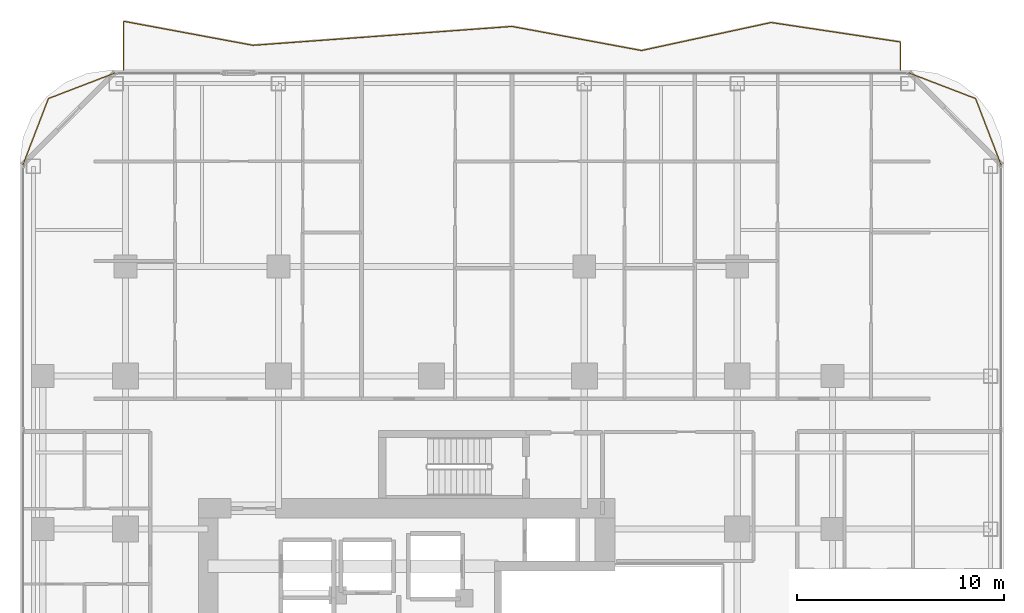
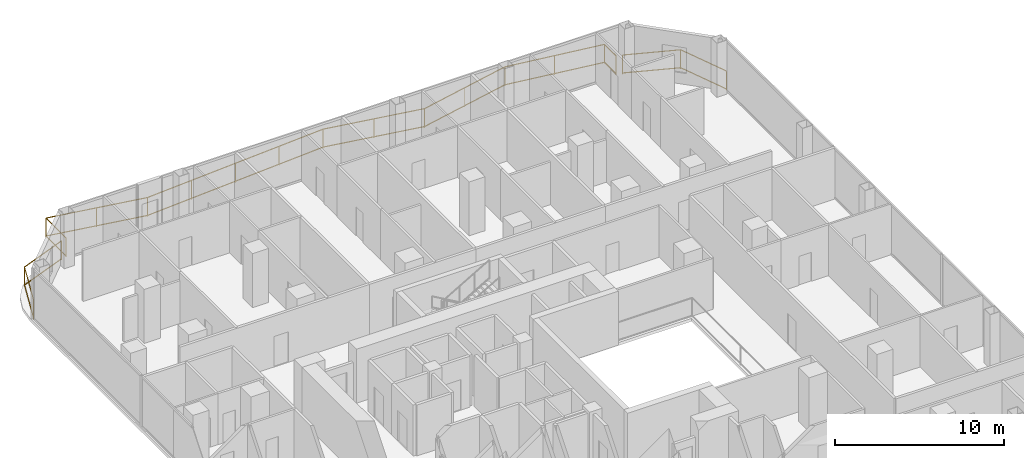
# One storey, part 26 of 26: 3 railings.
"""IFC4 building model written with IfcOpenShell, lengths in metres."""

from ifc_helpers import new_model, si_unit, direction, frame, origin, origin_2d, place, context, subcontext, project, spatial, rectangle, extrude, material, type_object, element, save


model = new_model("IFC4")

# Units and contexts
model_context = context("Model", 3, precision=1e-05, world=origin(), true_north=direction((0.0, 1.0)))
body_context = subcontext(model_context, "Body", "Model", "MODEL_VIEW")
ifc_project = project(units=[si_unit("LENGTHUNIT", "METRE"), si_unit("AREAUNIT", "SQUARE_METRE"), si_unit("VOLUMEUNIT", "CUBIC_METRE"), si_unit("PLANEANGLEUNIT", "RADIAN"), si_unit("MASSUNIT", "GRAM", prefix="KILO")], contexts=[model_context])

# Site, building, storey
site_placement = place(None, origin())
site = spatial("IfcSite", under=ifc_project, at=site_placement, CompositionType="ELEMENT")
building_placement = place(site_placement, origin())
building = spatial("IfcBuilding", under=site, at=building_placement, Name="Khorvyn Point Tower", CompositionType="ELEMENT")
storey_placement = place(building_placement, frame((0.0, 0.0, 113.39990234375)))
storey = spatial("IfcBuildingStorey", under=building, at=storey_placement, Name="L28", CompositionType="ELEMENT", Elevation=113.39990234375)

# Railings
ifc_material = material(Name="Anodised aluminium 6063-T6 and laminated safety glass", Category="aluminium")
railing_type = type_object("IfcRailingType", Name="Laminated Glass and Aluminium Balcony Guardrail 1400", PredefinedType="BALUSTRADE", material=ifc_material)
railing_1_placement = place(storey_placement, frame((-15.27587890625, 29.47412109375, 0.0)))
element("IfcRailing", 1, at=railing_1_placement, inside=storey, type_object=railing_type, Name="L28 Rounded Corner Edge Guardrail NW", PredefinedType="BALUSTRADE", context=body_context, shape_type="SweptSolid", body=[
    extrude(rectangle(XDim=0.048095703125, YDim=0.048095703125, at=origin_2d()), frame((0.0, 0.0, 1.3759765625), z_axis=(-0.933574931257, -0.358382264808, 0.0), x_axis=(0.358382264808, -0.933574931257, 0.0)), (0.0, 0.0, 1.0), 3.481689453125),
    extrude(rectangle(XDim=0.048095703125, YDim=0.048095703125, at=origin_2d()), frame((0.0, 0.0, 0.080078125), z_axis=(-0.933574931257, -0.358382264808, 0.0), x_axis=(0.358382264808, -0.933574931257, 0.0)), (0.0, 0.0, 1.0), 3.481689453125),
    extrude(rectangle(XDim=0.048095703125, YDim=0.048095703125, at=origin_2d()), frame((-3.25048828125, -1.247802734375, 1.3759765625), z_axis=(-0.35840572668, -0.933565924337, 0.0), x_axis=(0.933565924337, -0.35840572668, 0.0)), (0.0, 0.0, 1.0), 3.4814453125),
    extrude(rectangle(XDim=0.048095703125, YDim=0.048095703125, at=origin_2d()), frame((-3.25048828125, -1.247802734375, 0.080078125), z_axis=(-0.35840572668, -0.933565924337, 0.0), x_axis=(0.933565924337, -0.35840572668, 0.0)), (0.0, 0.0, 1.0), 3.4814453125),
    extrude(rectangle(XDim=0.0419921875, YDim=0.0419921875, at=origin_2d()), origin(), (0.0, 0.0, 1.0), 1.351806640625),
    extrude(rectangle(XDim=0.0419921875, YDim=0.0419921875, at=origin_2d()), frame((-3.25048828125, -1.247802734375, 0.0)), (0.0, 0.0, 1.0), 1.351806640625),
    extrude(rectangle(XDim=0.0419921875, YDim=0.0419921875, at=origin_2d()), frame((-4.498291015625, -4.498046875, 0.0)), (0.0, 0.0, 1.0), 1.351806640625),
])
railing_2_placement = place(storey_placement, frame((27.57421875, 24.97607421875, 0.0)))
element("IfcRailing", 2, at=railing_2_placement, inside=storey, type_object=railing_type, Name="L28 Rounded Corner Edge Guardrail NE", PredefinedType="BALUSTRADE", context=body_context, shape_type="SweptSolid", body=[
    extrude(rectangle(XDim=0.048095703125, YDim=0.048095703125, at=origin_2d()), frame((0.0, 0.0, 1.3759765625), z_axis=(-0.35840572668, 0.933565924337, 0.0), x_axis=(-0.933565924337, -0.35840572668, 0.0)), (0.0, 0.0, 1.0), 3.4814453125),
    extrude(rectangle(XDim=0.048095703125, YDim=0.048095703125, at=origin_2d()), frame((0.0, 0.0, 0.080078125), z_axis=(-0.35840572668, 0.933565924337, 0.0), x_axis=(-0.933565924337, -0.35840572668, 0.0)), (0.0, 0.0, 1.0), 3.4814453125),
    extrude(rectangle(XDim=0.048095703125, YDim=0.048095703125, at=origin_2d()), frame((-1.247802734375, 3.250244140625, 1.3759765625), z_axis=(-0.933574931257, 0.358382264808, 0.0), x_axis=(-0.358382264808, -0.933574931257, 0.0)), (0.0, 0.0, 1.0), 3.481689453125),
    extrude(rectangle(XDim=0.048095703125, YDim=0.048095703125, at=origin_2d()), frame((-1.247802734375, 3.250244140625, 0.080078125), z_axis=(-0.933574931257, 0.358382264808, 0.0), x_axis=(-0.358382264808, -0.933574931257, 0.0)), (0.0, 0.0, 1.0), 3.481689453125),
    extrude(rectangle(XDim=0.0419921875, YDim=0.0419921875, at=origin_2d()), origin(), (0.0, 0.0, 1.0), 1.351806640625),
    extrude(rectangle(XDim=0.0419921875, YDim=0.0419921875, at=origin_2d()), frame((-1.247802734375, 3.250244140625, 0.0)), (0.0, 0.0, 1.0), 1.351806640625),
    extrude(rectangle(XDim=0.0419921875, YDim=0.0419921875, at=origin_2d()), frame((-4.498291015625, 4.498046875, 0.0)), (0.0, 0.0, 1.0), 1.351806640625),
])
railing_3_placement = place(storey_placement, frame((22.699951171875, 29.60009765625, 0.0)))
element("IfcRailing", 3, at=railing_3_placement, inside=storey, type_object=railing_type, Name="L28 North Balcony Guardrail", PredefinedType="BALUSTRADE", context=body_context, shape_type="SweptSolid", body=[
    extrude(rectangle(XDim=0.048095703125, YDim=0.048095703125, at=origin_2d()), frame((0.0, 0.0, 1.3759765625), z_axis=(0.0, 1.0, 0.0), x_axis=(-1.0, 0.0, 0.0)), (0.0, 0.0, 1.0), 1.362548828125),
    extrude(rectangle(XDim=0.048095703125, YDim=0.048095703125, at=origin_2d()), frame((0.0, 0.0, 0.080078125), z_axis=(0.0, 1.0, 0.0), x_axis=(-1.0, 0.0, 0.0)), (0.0, 0.0, 1.0), 1.362548828125),
    extrude(rectangle(XDim=0.048095703125, YDim=0.048095703125, at=origin_2d()), frame((0.0, 1.362548828125, 1.3759765625), z_axis=(-0.988914865266, 0.148483632957, 0.0), x_axis=(-0.148483632957, -0.988914865266, 0.0)), (0.0, 0.0, 1.0), 6.3369140625),
    extrude(rectangle(XDim=0.048095703125, YDim=0.048095703125, at=origin_2d()), frame((0.0, 1.362548828125, 0.080078125), z_axis=(-0.988914865266, 0.148483632957, 0.0), x_axis=(-0.148483632957, -0.988914865266, 0.0)), (0.0, 0.0, 1.0), 6.3369140625),
    extrude(rectangle(XDim=0.048095703125, YDim=0.048095703125, at=origin_2d()), frame((-6.2666015625, 2.303466796875, 1.3759765625), z_axis=(-0.977405023503, -0.21137506956, 0.0), x_axis=(0.21137506956, -0.977405023503, 0.0)), (0.0, 0.0, 1.0), 6.411376953125),
    extrude(rectangle(XDim=0.048095703125, YDim=0.048095703125, at=origin_2d()), frame((-6.2666015625, 2.303466796875, 0.080078125), z_axis=(-0.977405023503, -0.21137506956, 0.0), x_axis=(0.21137506956, -0.977405023503, 0.0)), (0.0, 0.0, 1.0), 6.411376953125),
    extrude(rectangle(XDim=0.048095703125, YDim=0.048095703125, at=origin_2d()), frame((-12.533203125, 0.9482421875, 1.3759765625), z_axis=(-0.983141259558, 0.182847651764, 0.0), x_axis=(-0.182847651764, -0.983141259558, 0.0)), (0.0, 0.0, 1.0), 6.374267578125),
    extrude(rectangle(XDim=0.048095703125, YDim=0.048095703125, at=origin_2d()), frame((-12.533203125, 0.9482421875, 0.080078125), z_axis=(-0.983141259558, 0.182847651764, 0.0), x_axis=(-0.182847651764, -0.983141259558, 0.0)), (0.0, 0.0, 1.0), 6.374267578125),
    extrude(rectangle(XDim=0.048095703125, YDim=0.048095703125, at=origin_2d()), frame((-18.800048828125, 2.11376953125, 1.3759765625), z_axis=(-0.997359526721, -0.072622134776, 0.0), x_axis=(0.072622134776, -0.997359526721, 0.0)), (0.0, 0.0, 1.0), 6.283203125),
    extrude(rectangle(XDim=0.048095703125, YDim=0.048095703125, at=origin_2d()), frame((-18.800048828125, 2.11376953125, 0.080078125), z_axis=(-0.997359526721, -0.072622134776, 0.0), x_axis=(0.072622134776, -0.997359526721, 0.0)), (0.0, 0.0, 1.0), 6.283203125),
    extrude(rectangle(XDim=0.048095703125, YDim=0.048095703125, at=origin_2d()), frame((-25.066650390625, 1.657470703125, 1.3759765625), z_axis=(-0.997359526721, -0.072622134776, 0.0), x_axis=(0.072622134776, -0.997359526721, 0.0)), (0.0, 0.0, 1.0), 6.283203125),
    extrude(rectangle(XDim=0.048095703125, YDim=0.048095703125, at=origin_2d()), frame((-25.066650390625, 1.657470703125, 0.080078125), z_axis=(-0.997359526721, -0.072622134776, 0.0), x_axis=(0.072622134776, -0.997359526721, 0.0)), (0.0, 0.0, 1.0), 6.283203125),
    extrude(rectangle(XDim=0.048095703125, YDim=0.048095703125, at=origin_2d()), frame((-31.333251953125, 1.201171875, 1.3759765625), z_axis=(-0.983139978967, 0.182854537151, 0.0), x_axis=(-0.182854537151, -0.983139978967, 0.0)), (0.0, 0.0, 1.0), 6.3740234375),
    extrude(rectangle(XDim=0.048095703125, YDim=0.048095703125, at=origin_2d()), frame((-31.333251953125, 1.201171875, 0.080078125), z_axis=(-0.983139978967, 0.182854537151, 0.0), x_axis=(-0.182854537151, -0.983139978967, 0.0)), (0.0, 0.0, 1.0), 6.3740234375),
    extrude(rectangle(XDim=0.048095703125, YDim=0.048095703125, at=origin_2d()), frame((-37.599853515625, 2.36669921875, 1.3759765625), z_axis=(0.0, -1.0, 0.0), x_axis=(1.0, 0.0, 0.0)), (0.0, 0.0, 1.0), 2.36669921875),
    extrude(rectangle(XDim=0.048095703125, YDim=0.048095703125, at=origin_2d()), frame((-37.599853515625, 2.36669921875, 0.080078125), z_axis=(0.0, -1.0, 0.0), x_axis=(1.0, 0.0, 0.0)), (0.0, 0.0, 1.0), 2.36669921875),
    extrude(rectangle(XDim=0.0419921875, YDim=0.0419921875, at=origin_2d()), origin(), (0.0, 0.0, 1.0), 1.351806640625),
    extrude(rectangle(XDim=0.0419921875, YDim=0.0419921875, at=origin_2d()), frame((0.0, 1.362548828125, 0.0)), (0.0, 0.0, 1.0), 1.351806640625),
    extrude(rectangle(XDim=0.0419921875, YDim=0.0419921875, at=origin_2d()), frame((-3.13330078125, 1.8330078125, 0.0)), (0.0, 0.0, 1.0), 1.351806640625),
    extrude(rectangle(XDim=0.0419921875, YDim=0.0419921875, at=origin_2d()), frame((-6.2666015625, 2.303466796875, 0.0)), (0.0, 0.0, 1.0), 1.351806640625),
    extrude(rectangle(XDim=0.0419921875, YDim=0.0419921875, at=origin_2d()), frame((-9.39990234375, 1.6259765625, 0.0)), (0.0, 0.0, 1.0), 1.351806640625),
    extrude(rectangle(XDim=0.0419921875, YDim=0.0419921875, at=origin_2d()), frame((-12.533203125, 0.9482421875, 0.0)), (0.0, 0.0, 1.0), 1.351806640625),
    extrude(rectangle(XDim=0.0419921875, YDim=0.0419921875, at=origin_2d()), frame((-15.66650390625, 1.531005859375, 0.0)), (0.0, 0.0, 1.0), 1.351806640625),
    extrude(rectangle(XDim=0.0419921875, YDim=0.0419921875, at=origin_2d()), frame((-18.800048828125, 2.11376953125, 0.0)), (0.0, 0.0, 1.0), 1.351806640625),
    extrude(rectangle(XDim=0.0419921875, YDim=0.0419921875, at=origin_2d()), frame((-21.933349609375, 1.8857421875, 0.0)), (0.0, 0.0, 1.0), 1.351806640625),
    extrude(rectangle(XDim=0.0419921875, YDim=0.0419921875, at=origin_2d()), frame((-25.066650390625, 1.657470703125, 0.0)), (0.0, 0.0, 1.0), 1.351806640625),
    extrude(rectangle(XDim=0.0419921875, YDim=0.0419921875, at=origin_2d()), frame((-28.199951171875, 1.42919921875, 0.0)), (0.0, 0.0, 1.0), 1.351806640625),
    extrude(rectangle(XDim=0.0419921875, YDim=0.0419921875, at=origin_2d()), frame((-31.333251953125, 1.201171875, 0.0)), (0.0, 0.0, 1.0), 1.351806640625),
    extrude(rectangle(XDim=0.0419921875, YDim=0.0419921875, at=origin_2d()), frame((-34.466552734375, 1.783935546875, 0.0)), (0.0, 0.0, 1.0), 1.351806640625),
    extrude(rectangle(XDim=0.0419921875, YDim=0.0419921875, at=origin_2d()), frame((-37.599853515625, 2.36669921875, 0.0)), (0.0, 0.0, 1.0), 1.351806640625),
    extrude(rectangle(XDim=0.0419921875, YDim=0.0419921875, at=origin_2d()), frame((-37.599853515625, 0.0, 0.0)), (0.0, 0.0, 1.0), 1.351806640625),
])

save(model, "model.ifc")
